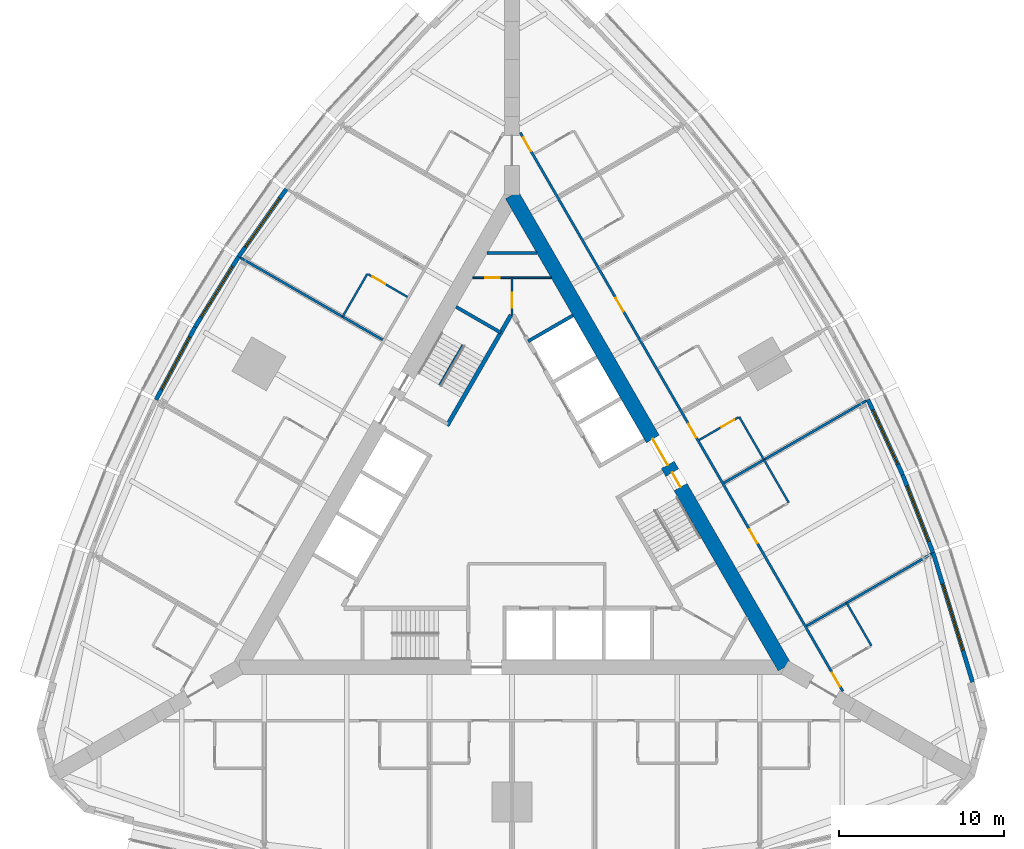
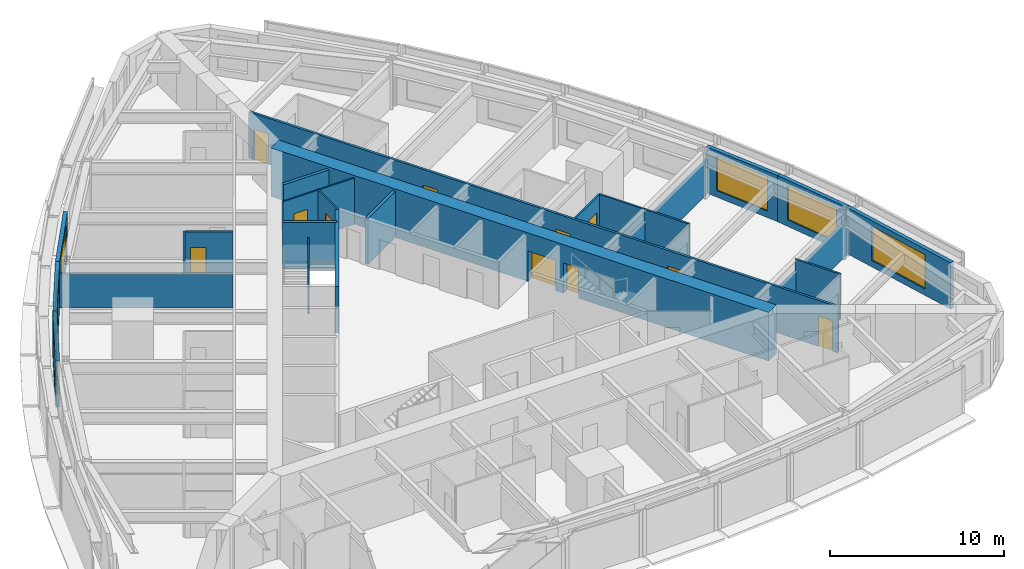
# One storey, part 11 of 14: 24 walls, 11 doors, 6 windows, 17 openings.
"""IFC4 building model written with IfcOpenShell, lengths in metres."""

from ifc_helpers import new_model, si_unit, direction, frame, frame_2d, origin, place, context, subcontext, project, spatial, rectangle, extrude, material, layer, layer_set, type_object, element, fill, save


model = new_model("IFC4")

# Units and contexts
model_context = context("Model", 3, precision=1e-05, world=origin(), true_north=direction((0.0, 1.0)))
body_context = subcontext(model_context, "Body", "Model", "MODEL_VIEW")
ifc_project = project(units=[si_unit("LENGTHUNIT", "METRE"), si_unit("AREAUNIT", "SQUARE_METRE"), si_unit("VOLUMEUNIT", "CUBIC_METRE"), si_unit("PLANEANGLEUNIT", "RADIAN"), si_unit("MASSUNIT", "GRAM", prefix="KILO")], contexts=[model_context])

# Site, building, storey
site_placement = place(None, origin())
site = spatial("IfcSite", under=ifc_project, at=site_placement, CompositionType="ELEMENT")
building_placement = place(site_placement, origin())
building = spatial("IfcBuilding", under=site, at=building_placement, Name="Trikona Tower", CompositionType="ELEMENT")
storey_placement = place(building_placement, frame((0.0, 0.0, 93.10009765625)))
storey = spatial("IfcBuildingStorey", under=building, at=storey_placement, Name="L24", CompositionType="ELEMENT", Elevation=93.10009765625)

# Walls
ifc_material_1 = material(Name="Metal stud and cement board", Category="gypsum")
ifc_layer_1 = layer(ifc_material_1, 0.1201171875)
ifc_layer_set_1 = layer_set([ifc_layer_1], Name="Bathroom wall 120")
wall_type_1 = type_object("IfcWallType", Name="Bathroom wall 120", PredefinedType="PLUMBINGWALL", material=ifc_layer_set_1)
for number, where, z_axis, x_axis, name in (
    (1, (21.75341796875, -8.225341796875, 0.0), (0.0, 0.0, 1.0), (-0.499990139034, 0.866031096941, 0.0), "Bathroom wall 2407"),
    (2, (16.75341796875, 0.434814453125, 0.0), (0.0, 0.0, 1.0), (-0.499990139034, 0.866031096941, 0.0), "Bathroom wall 2408"),
    (3, (15.25341796875, 3.032958984375, 0.0), (0.0, 0.0, 1.0), (-0.499990139034, 0.866031096941, 0.0), "Bathroom wall 2409"),
):
    element("IfcWall", number, at=place(storey_placement, frame(where, z_axis=z_axis, x_axis=x_axis)), inside=storey, type_object=wall_type_1, Name=name, PredefinedType="PLUMBINGWALL", context=body_context, shape_type="SweptSolid", body=[
        extrude(rectangle(XDim=3.0, YDim=0.1201171875, at=frame_2d((1.5, 0.0))), origin(), (0.0, 0.0, 1.0), 3.23486328125),
    ])

# Wall, opening, door
wall_1_placement = place(storey_placement, frame((11.32861328125, 4.231201171875, 0.0), z_axis=(0.0, 0.0, 1.0), x_axis=(0.866035715982, 0.499982138324, 0.0)))
wall_1 = element("IfcWall", 4, at=wall_1_placement, inside=storey, type_object=wall_type_1, Name="Bathroom wall 2409", PredefinedType="PLUMBINGWALL", context=body_context, shape_type="SweptSolid", body=[
    extrude(rectangle(XDim=2.73974609375, YDim=0.1201171875, at=frame_2d((1.369873046875, 0.0))), origin(), (0.0, 0.0, 1.0), 3.23486328125),
])
opening_1_placement = place(wall_1_placement, frame((1.550048828125, 0.0, 0.0)))
opening_1 = element("IfcOpeningElement", 5, at=opening_1_placement, cuts=wall_1, Name="Opening D2", PredefinedType="OPENING", context=body_context, shape_type="SweptSolid", body=[
    extrude(rectangle(XDim=0.89990234375, YDim=2.1298828125, at=frame_2d((0.449951171875, 1.06494140625))), frame((0.0, 0.070068359375, 0.0), z_axis=(0.0, -1.0, 0.0), x_axis=(1.0, 0.0, 0.0)), (0.0, 0.0, 1.0), 0.14013671875),
])
ifc_material_2 = material(Name="Steel door frame with solid-core timber leaf", Category="steel")
door_type_1 = type_object("IfcDoorType", Name="Bathroom door 900x2130", OperationType="SLIDING_TO_LEFT", PredefinedType="DOOR", material=ifc_material_2)
door_1_placement = place(opening_1_placement, origin())
door_1 = element("IfcDoor", 6, at=door_1_placement, inside=storey, type_object=door_type_1, Name="Bathroom door 2409", OperationType="SLIDING_TO_LEFT", OverallHeight=2.1298828125, OverallWidth=0.89990234375, PredefinedType="DOOR", context=body_context, shape_type="SweptSolid", body=[
    extrude(rectangle(XDim=0.89990234375, YDim=2.1298828125, at=frame_2d((0.449951171875, 1.06494140625))), frame((0.0, 0.02490234375, 0.0), z_axis=(0.0, -1.0, 0.0), x_axis=(1.0, 0.0, 0.0)), (0.0, 0.0, 1.0), 0.050048828125),
])
fill(opening_1, door_1)

# Wall
wall_2_placement = place(storey_placement, frame((-8.75341796875, 14.291259765625, 0.0), z_axis=(0.0, 0.0, 1.0), x_axis=(-0.50002537861, -0.866010750942, 0.0)))
element("IfcWall", 7, at=wall_2_placement, inside=storey, type_object=wall_type_1, Name="Bathroom wall 2413.1", PredefinedType="PLUMBINGWALL", context=body_context, shape_type="SweptSolid", body=[
    extrude(rectangle(XDim=2.999755859375, YDim=0.1201171875, at=frame_2d((1.5, 0.0))), origin(), (0.0, 0.0, 1.0), 3.23486328125),
])

# Wall, opening, door
wall_3_placement = place(storey_placement, frame((-6.32861328125, 12.891357421875, 0.0), z_axis=(0.0, 0.0, 1.0), x_axis=(-0.866035715982, 0.499982138324, 0.0)))
wall_3 = element("IfcWall", 8, at=wall_3_placement, inside=storey, type_object=wall_type_1, Name="Bathroom wall 2413.1", PredefinedType="PLUMBINGWALL", context=body_context, shape_type="SweptSolid", body=[
    extrude(rectangle(XDim=2.73974609375, YDim=0.1201171875, at=frame_2d((1.369873046875, 0.0))), origin(), (0.0, 0.0, 1.0), 3.23486328125),
])
opening_2_placement = place(wall_3_placement, frame((1.550048828125, 0.0, 0.0)))
opening_2 = element("IfcOpeningElement", 9, at=opening_2_placement, cuts=wall_3, Name="Opening D2", PredefinedType="OPENING", context=body_context, shape_type="SweptSolid", body=[
    extrude(rectangle(XDim=0.89990234375, YDim=2.1298828125, at=frame_2d((0.449951171875, 1.06494140625))), frame((0.0, 0.070068359375, 0.0), z_axis=(0.0, -1.0, 0.0), x_axis=(1.0, 0.0, 0.0)), (0.0, 0.0, 1.0), 0.14013671875),
])
door_2_placement = place(opening_2_placement, origin())
door_2 = element("IfcDoor", 10, at=door_2_placement, inside=storey, type_object=door_type_1, Name="Bathroom door 2413.1", OperationType="SLIDING_TO_LEFT", OverallHeight=2.1298828125, OverallWidth=0.89990234375, PredefinedType="DOOR", context=body_context, shape_type="SweptSolid", body=[
    extrude(rectangle(XDim=0.89990234375, YDim=2.1298828125, at=frame_2d((0.449951171875, 1.06494140625))), frame((0.0, 0.02490234375, 0.0), z_axis=(0.0, -1.0, 0.0), x_axis=(1.0, 0.0, 0.0)), (0.0, 0.0, 1.0), 0.050048828125),
])
fill(opening_2, door_2)

# Wall, openings, doors
ifc_material_3 = material(Name="Concrete f'c 10000 psi", Category="concrete")
ifc_layer_2 = layer(ifc_material_3, 0.89990234375)
ifc_layer_set_2 = layer_set([ifc_layer_2], Name="Core wall 900")
wall_type_2 = type_object("IfcWallType", Name="Core wall 900", PredefinedType="SHEAR", material=ifc_layer_set_2)
wall_4_placement = place(storey_placement, frame((16.5, -9.5263671875, 0.0), z_axis=(0.0, 0.0, 1.0), x_axis=(-0.499999749417, 0.866025548458, 0.0)))
wall_4 = element("IfcWall", 11, at=wall_4_placement, inside=storey, type_object=wall_type_2, Name="Core wall B", PredefinedType="SHEAR", context=body_context, shape_type="SweptSolid", body=[
    extrude(rectangle(XDim=33.0, YDim=0.89990234375, at=frame_2d((16.5, 0.0))), origin(), (0.0, 0.0, 1.0), 3.39990234375),
])
opening_3_placement = place(wall_4_placement, frame((14.14990234375, 0.0, 0.0)))
opening_3 = element("IfcOpeningElement", 12, at=opening_3_placement, cuts=wall_4, Name="Opening D6", PredefinedType="OPENING", context=body_context, shape_type="SweptSolid", body=[
    extrude(rectangle(XDim=1.800048828125, YDim=2.1298828125, at=frame_2d((0.89990234375, 1.06494140625))), frame((0.0, 0.4599609375, 0.0), z_axis=(0.0, -1.0, 0.0), x_axis=(1.0, 0.0, 0.0)), (0.0, 0.0, 1.0), 0.919921875),
])
opening_4_placement = place(wall_4_placement, frame((12.60009765625, 0.0, 0.0)))
opening_4 = element("IfcOpeningElement", 13, at=opening_4_placement, cuts=wall_4, Name="Opening D5", PredefinedType="OPENING", context=body_context, shape_type="SweptSolid", body=[
    extrude(rectangle(XDim=1.0, YDim=2.1298828125, at=frame_2d((0.5, 1.06494140625))), frame((0.0, 0.4599609375, 0.0), z_axis=(0.0, -1.0, 0.0), x_axis=(1.0, 0.0, 0.0)), (0.0, 0.0, 1.0), 0.919921875),
])
ifc_material_4 = material(Name="Hollow metal door and frame", Category="steel")
door_type_2 = type_object("IfcDoorType", Name="Lobby door pair 1800x2130", OperationType="DOUBLE_DOOR_SINGLE_SWING", PredefinedType="DOOR", material=ifc_material_4)
door_3_placement = place(opening_3_placement, origin())
door_3 = element("IfcDoor", 14, at=door_3_placement, inside=storey, type_object=door_type_2, Name="Lift lobby door B", OperationType="DOUBLE_DOOR_SINGLE_SWING", OverallHeight=2.1298828125, OverallWidth=1.800048828125, PredefinedType="DOOR", context=body_context, shape_type="SweptSolid", body=[
    extrude(rectangle(XDim=1.800048828125, YDim=2.1298828125, at=frame_2d((0.89990234375, 1.06494140625))), frame((0.0, 0.02490234375, 0.0), z_axis=(0.0, -1.0, 0.0), x_axis=(1.0, 0.0, 0.0)), (0.0, 0.0, 1.0), 0.050048828125),
])
fill(opening_3, door_3)
ifc_material_5 = material(Name="Hollow metal door and frame", Category="steel")
door_type_3 = type_object("IfcDoorType", Name="Stair door 1000x2130", OperationType="SINGLE_SWING_LEFT", PredefinedType="DOOR", material=ifc_material_5)
door_4_placement = place(opening_4_placement, origin())
door_4 = element("IfcDoor", 15, at=door_4_placement, inside=storey, type_object=door_type_3, Name="Stair B door", OperationType="SINGLE_SWING_RIGHT", OverallHeight=2.1298828125, OverallWidth=1.0, PredefinedType="DOOR", context=body_context, shape_type="SweptSolid", body=[
    extrude(rectangle(XDim=1.0, YDim=2.1298828125, at=frame_2d((0.5, 1.06494140625))), frame((0.0, 0.02490234375, 0.0), z_axis=(0.0, -1.0, 0.0), x_axis=(1.0, 0.0, 0.0)), (0.0, 0.0, 1.0), 0.050048828125),
])
fill(opening_4, door_4)

ifc_material_6 = material(Name="Metal stud and gypsum board, 1-hour", Category="gypsum")
ifc_layer_3 = layer(ifc_material_6, 0.14990234375)
ifc_layer_set_3 = layer_set([ifc_layer_3], Name="Corridor wall 150")
wall_type_3 = type_object("IfcWallType", Name="Corridor wall 150", PredefinedType="PARTITIONING", material=ifc_layer_set_3)
wall_5_placement = place(storey_placement, frame((20.027099609375, -10.9853515625, 0.0), z_axis=(0.0, 0.0, 1.0), x_axis=(-0.500001677587, 0.866024435227, 0.0)))
wall_5 = element("IfcWall", 16, at=wall_5_placement, inside=storey, type_object=wall_type_3, Name="Corridor wall L24-2", PredefinedType="PARTITIONING", context=body_context, shape_type="SweptSolid", body=[
    extrude(rectangle(XDim=39.053955078125, YDim=0.14990234375, at=frame_2d((19.52685546875, 0.0))), origin(), (0.0, 0.0, 1.0), 3.23486328125),
])
opening_5_placement = place(wall_5_placement, frame((0.35205078125, 0.0, 0.0)))
opening_5 = element("IfcOpeningElement", 17, at=opening_5_placement, cuts=wall_5, Name="Opening D1", PredefinedType="OPENING", context=body_context, shape_type="SweptSolid", body=[
    extrude(rectangle(XDim=0.949951171875, YDim=2.1298828125, at=frame_2d((0.47509765625, 1.06494140625))), frame((0.0, 0.0849609375, 0.0), z_axis=(0.0, -1.0, 0.0), x_axis=(1.0, 0.0, 0.0)), (0.0, 0.0, 1.0), 0.169921875),
])
opening_6_placement = place(wall_5_placement, frame((10.35205078125, 0.0, 0.0)))
opening_6 = element("IfcOpeningElement", 18, at=opening_6_placement, cuts=wall_5, Name="Opening D1", PredefinedType="OPENING", context=body_context, shape_type="SweptSolid", body=[
    extrude(rectangle(XDim=0.949951171875, YDim=2.1298828125, at=frame_2d((0.47509765625, 1.06494140625))), frame((0.0, 0.0849609375, 0.0), z_axis=(0.0, -1.0, 0.0), x_axis=(1.0, 0.0, 0.0)), (0.0, 0.0, 1.0), 0.169921875),
])
opening_7_placement = place(wall_5_placement, frame((17.751953125, 0.0, 0.0)))
opening_7 = element("IfcOpeningElement", 19, at=opening_7_placement, cuts=wall_5, Name="Opening D1", PredefinedType="OPENING", context=body_context, shape_type="SweptSolid", body=[
    extrude(rectangle(XDim=0.949951171875, YDim=2.1298828125, at=frame_2d((0.47509765625, 1.06494140625))), frame((0.0, 0.0849609375, 0.0), z_axis=(0.0, -1.0, 0.0), x_axis=(1.0, 0.0, 0.0)), (0.0, 0.0, 1.0), 0.169921875),
])
opening_8_placement = place(wall_5_placement, frame((26.552001953125, 0.0, 0.0)))
opening_8 = element("IfcOpeningElement", 20, at=opening_8_placement, cuts=wall_5, Name="Opening D1", PredefinedType="OPENING", context=body_context, shape_type="SweptSolid", body=[
    extrude(rectangle(XDim=0.949951171875, YDim=2.1298828125, at=frame_2d((0.47509765625, 1.06494140625))), frame((0.0, 0.0849609375, 0.0), z_axis=(0.0, -1.0, 0.0), x_axis=(1.0, 0.0, 0.0)), (0.0, 0.0, 1.0), 0.169921875),
])
opening_9_placement = place(wall_5_placement, frame((37.751953125, 0.0, 0.0)))
opening_9 = element("IfcOpeningElement", 21, at=opening_9_placement, cuts=wall_5, Name="Opening D1", PredefinedType="OPENING", context=body_context, shape_type="SweptSolid", body=[
    extrude(rectangle(XDim=0.949951171875, YDim=2.1298828125, at=frame_2d((0.47509765625, 1.06494140625))), frame((0.0, 0.0849609375, 0.0), z_axis=(0.0, -1.0, 0.0), x_axis=(1.0, 0.0, 0.0)), (0.0, 0.0, 1.0), 0.169921875),
])
ifc_material_7 = material(Name="Steel door frame with solid-core timber leaf", Category="steel")
door_type_4 = type_object("IfcDoorType", Name="Guest room door 950x2130", OperationType="SINGLE_SWING_LEFT", PredefinedType="DOOR", material=ifc_material_7)
door_5_placement = place(opening_5_placement, origin())
door_5 = element("IfcDoor", 22, at=door_5_placement, inside=storey, type_object=door_type_4, Name="Room door 2407", OperationType="SINGLE_SWING_LEFT", OverallHeight=2.1298828125, OverallWidth=0.949951171875, PredefinedType="DOOR", context=body_context, shape_type="SweptSolid", body=[
    extrude(rectangle(XDim=0.949951171875, YDim=2.1298828125, at=frame_2d((0.47509765625, 1.06494140625))), frame((0.0, 0.02490234375, 0.0), z_axis=(0.0, -1.0, 0.0), x_axis=(1.0, 0.0, 0.0)), (0.0, 0.0, 1.0), 0.050048828125),
])
fill(opening_5, door_5)
door_6_placement = place(opening_6_placement, origin())
door_6 = element("IfcDoor", 23, at=door_6_placement, inside=storey, type_object=door_type_4, Name="Room door 2408", OperationType="SINGLE_SWING_RIGHT", OverallHeight=2.1298828125, OverallWidth=0.949951171875, PredefinedType="DOOR", context=body_context, shape_type="SweptSolid", body=[
    extrude(rectangle(XDim=0.949951171875, YDim=2.1298828125, at=frame_2d((0.47509765625, 1.06494140625))), frame((0.0, 0.02490234375, 0.0), z_axis=(0.0, -1.0, 0.0), x_axis=(1.0, 0.0, 0.0)), (0.0, 0.0, 1.0), 0.050048828125),
])
fill(opening_6, door_6)
door_7_placement = place(opening_7_placement, origin())
door_7 = element("IfcDoor", 24, at=door_7_placement, inside=storey, type_object=door_type_4, Name="Room door 2409", OperationType="SINGLE_SWING_LEFT", OverallHeight=2.1298828125, OverallWidth=0.949951171875, PredefinedType="DOOR", context=body_context, shape_type="SweptSolid", body=[
    extrude(rectangle(XDim=0.949951171875, YDim=2.1298828125, at=frame_2d((0.47509765625, 1.06494140625))), frame((0.0, 0.02490234375, 0.0), z_axis=(0.0, -1.0, 0.0), x_axis=(1.0, 0.0, 0.0)), (0.0, 0.0, 1.0), 0.050048828125),
])
fill(opening_7, door_7)
door_8_placement = place(opening_8_placement, origin())
door_8 = element("IfcDoor", 25, at=door_8_placement, inside=storey, type_object=door_type_4, Name="Room door 2410", OperationType="SINGLE_SWING_RIGHT", OverallHeight=2.1298828125, OverallWidth=0.949951171875, PredefinedType="DOOR", context=body_context, shape_type="SweptSolid", body=[
    extrude(rectangle(XDim=0.949951171875, YDim=2.1298828125, at=frame_2d((0.47509765625, 1.06494140625))), frame((0.0, 0.02490234375, 0.0), z_axis=(0.0, -1.0, 0.0), x_axis=(1.0, 0.0, 0.0)), (0.0, 0.0, 1.0), 0.050048828125),
])
fill(opening_8, door_8)
door_9_placement = place(opening_9_placement, origin())
door_9 = element("IfcDoor", 26, at=door_9_placement, inside=storey, type_object=door_type_4, Name="Room door 2411", OperationType="SINGLE_SWING_RIGHT", OverallHeight=2.1298828125, OverallWidth=0.949951171875, PredefinedType="DOOR", context=body_context, shape_type="SweptSolid", body=[
    extrude(rectangle(XDim=0.949951171875, YDim=2.1298828125, at=frame_2d((0.47509765625, 1.06494140625))), frame((0.0, 0.02490234375, 0.0), z_axis=(0.0, -1.0, 0.0), x_axis=(1.0, 0.0, 0.0)), (0.0, 0.0, 1.0), 0.050048828125),
])
fill(opening_9, door_9)

# Wall
ifc_material_8 = material(Name="Concrete f'c 8000 psi", Category="concrete")
ifc_layer_4 = layer(ifc_material_8, 0.25)
ifc_layer_set_4 = layer_set([ifc_layer_4], Name="Hub wall 250")
wall_type_4 = type_object("IfcWallType", Name="Hub wall 250", PredefinedType="SOLIDWALL", material=ifc_layer_set_4)
wall_6_placement = place(storey_placement, frame((-0.0625, 11.794189453125, 0.0), z_axis=(0.0, 0.0, 1.0), x_axis=(-0.500006680225, -0.86602154692, 0.0)))
element("IfcWall", 27, at=wall_6_placement, inside=storey, type_object=wall_type_4, Name="Lift lobby wall C1", PredefinedType="SOLIDWALL", context=body_context, shape_type="SweptSolid", body=[
    extrude(rectangle(XDim=7.73291015625, YDim=0.25, at=frame_2d((3.866455078125, 0.0))), origin(), (0.0, 0.0, 1.0), 3.23486328125),
])

# Wall, opening, window
ifc_material_9 = material(Name="Insulated precast concrete spandrel panel", Category="concrete")
ifc_layer_5 = layer(ifc_material_9, 0.25)
ifc_layer_set_5 = layer_set([ifc_layer_5], Name="Inner skin wall 250")
wall_type_5 = type_object("IfcWallType", Name="Inner skin wall 250", PredefinedType="STANDARD", material=ifc_layer_set_5)
wall_7_placement = place(storey_placement, frame((27.88037109375, -10.4287109375, 0.0), z_axis=(0.0, 0.0, 1.0), x_axis=(-0.2919790669, 0.956424709265, 0.0)))
wall_7 = element("IfcWall", 28, at=wall_7_placement, inside=storey, type_object=wall_type_5, Name="External wall L24-12", PredefinedType="STANDARD", context=body_context, shape_type="SweptSolid", body=[
    extrude(rectangle(XDim=8.211181640625, YDim=0.25, at=frame_2d((4.10546875, 0.0))), origin(), (0.0, 0.0, 1.0), 3.23486328125),
])
opening_10_placement = place(wall_7_placement, frame((2.005615234375, 0.0, 0.449951171875)))
opening_10 = element("IfcOpeningElement", 29, at=opening_10_placement, cuts=wall_7, Name="Opening W4224", PredefinedType="OPENING", context=body_context, shape_type="SweptSolid", body=[
    extrude(rectangle(XDim=4.199951171875, YDim=2.39990234375, at=frame_2d((2.10009765625, 1.199951171875))), frame((0.0, 0.135009765625, 0.0), z_axis=(0.0, -1.0, 0.0), x_axis=(1.0, 0.0, 0.0)), (0.0, 0.0, 1.0), 0.27001953125),
])
ifc_material_10 = material(Name="Aluminium-framed double glazing", Category="aluminium")
window_type_1 = type_object("IfcWindowType", Name="Window 4200x2400", PartitioningType="SINGLE_PANEL", PredefinedType="WINDOW", material=ifc_material_10)
window_1_placement = place(opening_10_placement, origin())
window_1 = element("IfcWindow", 30, at=window_1_placement, inside=storey, type_object=window_type_1, Name="Window 2407", OverallHeight=2.39990234375, OverallWidth=4.199951171875, PartitioningType="SINGLE_PANEL", PredefinedType="WINDOW", context=body_context, shape_type="SweptSolid", body=[
    extrude(rectangle(XDim=4.199951171875, YDim=2.39990234375, at=frame_2d((2.10009765625, 1.199951171875))), frame((0.0, 0.030029296875, 0.0), z_axis=(0.0, -1.0, 0.0), x_axis=(1.0, 0.0, 0.0)), (0.0, 0.0, 1.0), 0.06005859375),
])
fill(opening_10, window_1)

wall_8_placement = place(storey_placement, frame((25.486083984375, -2.58447265625, 0.0), z_axis=(0.0, 0.0, 1.0), x_axis=(-0.364013463868, 0.931393685894, 0.0)))
wall_8 = element("IfcWall", 31, at=wall_8_placement, inside=storey, type_object=wall_type_5, Name="External wall L24-13", PredefinedType="STANDARD", context=body_context, shape_type="SweptSolid", body=[
    extrude(rectangle(XDim=5.0576171875, YDim=0.25, at=frame_2d((2.52880859375, 0.0))), origin(), (0.0, 0.0, 1.0), 3.23486328125),
])
opening_11_placement = place(wall_8_placement, frame((0.728759765625, 0.0, 0.449951171875)))
opening_11 = element("IfcOpeningElement", 32, at=opening_11_placement, cuts=wall_8, Name="Opening W3624", PredefinedType="OPENING", context=body_context, shape_type="SweptSolid", body=[
    extrude(rectangle(XDim=3.60009765625, YDim=2.39990234375, at=frame_2d((1.800048828125, 1.199951171875))), frame((0.0, 0.135009765625, 0.0), z_axis=(0.0, -1.0, 0.0), x_axis=(1.0, 0.0, 0.0)), (0.0, 0.0, 1.0), 0.27001953125),
])
ifc_material_11 = material(Name="Aluminium-framed double glazing", Category="aluminium")
window_type_2 = type_object("IfcWindowType", Name="Window 3600x2400", PartitioningType="SINGLE_PANEL", PredefinedType="WINDOW", material=ifc_material_11)
window_2_placement = place(opening_11_placement, origin())
window_2 = element("IfcWindow", 33, at=window_2_placement, inside=storey, type_object=window_type_2, Name="Window 2408", OverallHeight=2.39990234375, OverallWidth=3.60009765625, PartitioningType="SINGLE_PANEL", PredefinedType="WINDOW", context=body_context, shape_type="SweptSolid", body=[
    extrude(rectangle(XDim=3.60009765625, YDim=2.39990234375, at=frame_2d((1.800048828125, 1.199951171875))), frame((0.0, 0.030029296875, 0.0), z_axis=(0.0, -1.0, 0.0), x_axis=(1.0, 0.0, 0.0)), (0.0, 0.0, 1.0), 0.06005859375),
])
fill(opening_11, window_2)

wall_9_placement = place(storey_placement, frame((23.64794921875, 2.119384765625, 0.0), z_axis=(0.0, 0.0, 1.0), x_axis=(-0.419203100754, 0.907892482796, 0.0)))
wall_9 = element("IfcWall", 34, at=wall_9_placement, inside=storey, type_object=wall_type_5, Name="External wall L24-14", PredefinedType="STANDARD", context=body_context, shape_type="SweptSolid", body=[
    extrude(rectangle(XDim=5.020751953125, YDim=0.25, at=frame_2d((2.51025390625, 0.0))), origin(), (0.0, 0.0, 1.0), 3.23486328125),
])
opening_12_placement = place(wall_9_placement, frame((0.71044921875, 0.0, 0.449951171875)))
opening_12 = element("IfcOpeningElement", 35, at=opening_12_placement, cuts=wall_9, Name="Opening W3624", PredefinedType="OPENING", context=body_context, shape_type="SweptSolid", body=[
    extrude(rectangle(XDim=3.60009765625, YDim=2.39990234375, at=frame_2d((1.800048828125, 1.199951171875))), frame((0.0, 0.135009765625, 0.0), z_axis=(0.0, -1.0, 0.0), x_axis=(1.0, 0.0, 0.0)), (0.0, 0.0, 1.0), 0.27001953125),
])
window_3_placement = place(opening_12_placement, origin())
window_3 = element("IfcWindow", 36, at=window_3_placement, inside=storey, type_object=window_type_2, Name="Window 2408", OverallHeight=2.39990234375, OverallWidth=3.60009765625, PartitioningType="SINGLE_PANEL", PredefinedType="WINDOW", context=body_context, shape_type="SweptSolid", body=[
    extrude(rectangle(XDim=3.60009765625, YDim=2.39990234375, at=frame_2d((1.800048828125, 1.199951171875))), frame((0.0, 0.030029296875, 0.0), z_axis=(0.0, -1.0, 0.0), x_axis=(1.0, 0.0, 0.0)), (0.0, 0.0, 1.0), 0.06005859375),
])
fill(opening_12, window_3)

wall_10_placement = place(storey_placement, frame((-13.659423828125, 19.420166015625, 0.0), z_axis=(0.0, 0.0, 1.0), x_axis=(-0.5766431066, -0.81699616132, 0.0)))
wall_10 = element("IfcWall", 37, at=wall_10_placement, inside=storey, type_object=wall_type_5, Name="External wall L24-26", PredefinedType="STANDARD", context=body_context, shape_type="SweptSolid", body=[
    extrude(rectangle(XDim=5.02099609375, YDim=0.25, at=frame_2d((2.510498046875, 0.0))), origin(), (0.0, 0.0, 1.0), 3.23486328125),
])
opening_13_placement = place(wall_10_placement, frame((0.71044921875, 0.0, 0.449951171875)))
opening_13 = element("IfcOpeningElement", 38, at=opening_13_placement, cuts=wall_10, Name="Opening W3624", PredefinedType="OPENING", context=body_context, shape_type="SweptSolid", body=[
    extrude(rectangle(XDim=3.60009765625, YDim=2.39990234375, at=frame_2d((1.800048828125, 1.199951171875))), frame((0.0, 0.135009765625, 0.0), z_axis=(0.0, -1.0, 0.0), x_axis=(1.0, 0.0, 0.0)), (0.0, 0.0, 1.0), 0.27001953125),
])
window_4_placement = place(opening_13_placement, origin())
window_4 = element("IfcWindow", 39, at=window_4_placement, inside=storey, type_object=window_type_2, Name="Window 2413.1", OverallHeight=2.39990234375, OverallWidth=3.60009765625, PartitioningType="SINGLE_PANEL", PredefinedType="WINDOW", context=body_context, shape_type="SweptSolid", body=[
    extrude(rectangle(XDim=3.60009765625, YDim=2.39990234375, at=frame_2d((1.800048828125, 1.199951171875))), frame((0.0, 0.030029296875, 0.0), z_axis=(0.0, -1.0, 0.0), x_axis=(1.0, 0.0, 0.0)), (0.0, 0.0, 1.0), 0.06005859375),
])
fill(opening_13, window_4)

wall_11_placement = place(storey_placement, frame((-16.550537109375, 15.324462890625, 0.0), z_axis=(0.0, 0.0, 1.0), x_axis=(-0.526132807704, -0.850402415717, 0.0)))
wall_11 = element("IfcWall", 40, at=wall_11_placement, inside=storey, type_object=wall_type_5, Name="External wall L24-27", PredefinedType="STANDARD", context=body_context, shape_type="SweptSolid", body=[
    extrude(rectangle(XDim=5.002197265625, YDim=0.25, at=frame_2d((2.5009765625, 0.0))), origin(), (0.0, 0.0, 1.0), 3.23486328125),
])
opening_14_placement = place(wall_11_placement, frame((0.701171875, 0.0, 0.449951171875)))
opening_14 = element("IfcOpeningElement", 41, at=opening_14_placement, cuts=wall_11, Name="Opening W3624", PredefinedType="OPENING", context=body_context, shape_type="SweptSolid", body=[
    extrude(rectangle(XDim=3.60009765625, YDim=2.39990234375, at=frame_2d((1.800048828125, 1.199951171875))), frame((0.0, 0.135009765625, 0.0), z_axis=(0.0, -1.0, 0.0), x_axis=(1.0, 0.0, 0.0)), (0.0, 0.0, 1.0), 0.27001953125),
])
window_5_placement = place(opening_14_placement, origin())
window_5 = element("IfcWindow", 42, at=window_5_placement, inside=storey, type_object=window_type_2, Name="Window 2414", OverallHeight=2.39990234375, OverallWidth=3.60009765625, PartitioningType="SINGLE_PANEL", PredefinedType="WINDOW", context=body_context, shape_type="SweptSolid", body=[
    extrude(rectangle(XDim=3.60009765625, YDim=2.39990234375, at=frame_2d((1.800048828125, 1.199951171875))), frame((0.0, 0.030029296875, 0.0), z_axis=(0.0, -1.0, 0.0), x_axis=(1.0, 0.0, 0.0)), (0.0, 0.0, 1.0), 0.06005859375),
])
fill(opening_14, window_5)

wall_12_placement = place(storey_placement, frame((-19.178466796875, 11.0771484375, 0.0), z_axis=(0.0, 0.0, 1.0), x_axis=(-0.473412820489, -0.880840678782, 0.0)))
wall_12 = element("IfcWall", 43, at=wall_12_placement, inside=storey, type_object=wall_type_5, Name="External wall L24-28", PredefinedType="STANDARD", context=body_context, shape_type="SweptSolid", body=[
    extrude(rectangle(XDim=5.00244140625, YDim=0.25, at=frame_2d((2.501220703125, 0.0))), origin(), (0.0, 0.0, 1.0), 3.23486328125),
])
opening_15_placement = place(wall_12_placement, frame((0.701171875, 0.0, 0.449951171875)))
opening_15 = element("IfcOpeningElement", 44, at=opening_15_placement, cuts=wall_12, Name="Opening W3624", PredefinedType="OPENING", context=body_context, shape_type="SweptSolid", body=[
    extrude(rectangle(XDim=3.60009765625, YDim=2.39990234375, at=frame_2d((1.800048828125, 1.199951171875))), frame((0.0, 0.135009765625, 0.0), z_axis=(0.0, -1.0, 0.0), x_axis=(1.0, 0.0, 0.0)), (0.0, 0.0, 1.0), 0.27001953125),
])
window_6_placement = place(opening_15_placement, origin())
window_6 = element("IfcWindow", 45, at=window_6_placement, inside=storey, type_object=window_type_2, Name="Window 2414", OverallHeight=2.39990234375, OverallWidth=3.60009765625, PartitioningType="SINGLE_PANEL", PredefinedType="WINDOW", context=body_context, shape_type="SweptSolid", body=[
    extrude(rectangle(XDim=3.60009765625, YDim=2.39990234375, at=frame_2d((1.800048828125, 1.199951171875))), frame((0.0, 0.030029296875, 0.0), z_axis=(0.0, -1.0, 0.0), x_axis=(1.0, 0.0, 0.0)), (0.0, 0.0, 1.0), 0.06005859375),
])
fill(opening_15, window_6)

# Walls
ifc_material_12 = material(Name="Metal stud and gypsum board, 1-hour acoustic", Category="gypsum")
ifc_layer_6 = layer(ifc_material_12, 0.14990234375)
ifc_layer_set_6 = layer_set([ifc_layer_6], Name="Party wall 150")
wall_type_6 = type_object("IfcWallType", Name="Party wall 150", PredefinedType="PARTITIONING", material=ifc_layer_set_6)
wall_13_placement = place(storey_placement, frame((17.82861328125, -7.027099609375, 0.0), z_axis=(0.0, 0.0, 1.0), x_axis=(0.866032659912, 0.499987431809, 0.0)))
element("IfcWall", 46, at=wall_13_placement, inside=storey, type_object=wall_type_6, Name="Partition L24 F2 u-15", PredefinedType="PARTITIONING", context=body_context, shape_type="SweptSolid", body=[
    extrude(rectangle(XDim=8.719970703125, YDim=0.14990234375, at=frame_2d((4.35986328125, 0.0))), origin(), (0.0, 0.0, 1.0), 2.38916015625),
])
wall_14_placement = place(storey_placement, frame((12.82861328125, 1.633056640625, 0.0), z_axis=(0.0, 0.0, 1.0), x_axis=(0.866026934769, 0.499997348248, 0.0)))
element("IfcWall", 47, at=wall_14_placement, inside=storey, type_object=wall_type_6, Name="Partition L24 F2 u-5", PredefinedType="PARTITIONING", context=body_context, shape_type="SweptSolid", body=[
    extrude(rectangle(XDim=9.94287109375, YDim=0.14990234375, at=frame_2d((4.971435546875, 0.0))), origin(), (0.0, 0.0, 1.0), 2.38916015625),
])
wall_15_placement = place(storey_placement, frame((-7.82861328125, 10.293212890625, 0.0), z_axis=(0.0, 0.0, 1.0), x_axis=(-0.866016302457, 0.50001576363, 0.0)))
element("IfcWall", 48, at=wall_15_placement, inside=storey, type_object=wall_type_6, Name="Partition L24 F3 u-5", PredefinedType="PARTITIONING", context=body_context, shape_type="SweptSolid", body=[
    extrude(rectangle(XDim=9.943115234375, YDim=0.14990234375, at=frame_2d((4.9716796875, 0.0))), origin(), (0.0, 0.0, 1.0), 2.38916015625),
])
ifc_material_13 = material(Name="Concrete f'c 8000 psi", Category="concrete")
ifc_layer_7 = layer(ifc_material_13, 0.199951171875)
ifc_layer_set_7 = layer_set([ifc_layer_7], Name="Shaft wall 200")
wall_type_7 = type_object("IfcWallType", Name="Shaft wall 200", PredefinedType="SOLIDWALL", material=ifc_layer_set_7)
wall_16_placement = place(storey_placement, frame((0.97900390625, 10.20703125, 0.0), z_axis=(0.0, 0.0, 1.0), x_axis=(0.866022959057, 0.500004234368, 0.0)))
element("IfcWall", 49, at=wall_16_placement, inside=storey, type_object=wall_type_7, Name="Shaft wall B6", PredefinedType="SOLIDWALL", context=body_context, shape_type="SweptSolid", body=[
    extrude(rectangle(XDim=3.125, YDim=0.199951171875, at=frame_2d((1.5625, 0.0))), origin(), (0.0, 0.0, 1.0), 3.23486328125),
])
wall_17_placement = place(storey_placement, frame((-1.501220703125, 15.552490234375, 0.0), z_axis=(0.0, 0.0, 1.0), x_axis=(1.0, 0.0, 0.0)))
element("IfcWall", 50, at=wall_17_placement, inside=storey, type_object=wall_type_7, Name="Riser wall L24-RS2", PredefinedType="SOLIDWALL", context=body_context, shape_type="SweptSolid", body=[
    extrude(rectangle(XDim=3.00244140625, YDim=0.199951171875, at=frame_2d((1.501220703125, 0.0))), origin(), (0.0, 0.0, 1.0), 3.23486328125),
])
ifc_material_14 = material(Name="Concrete f'c 8000 psi", Category="concrete")
ifc_layer_8 = layer(ifc_material_14, 0.199951171875)
ifc_layer_set_8 = layer_set([ifc_layer_8], Name="Shaft wall 200 load-bearing")
wall_type_8 = type_object("IfcWallType", Name="Shaft wall 200 load-bearing", PredefinedType="SOLIDWALL", material=ifc_layer_set_8)
wall_18_placement = place(storey_placement, frame((-0.678955078125, 10.7265625, 0.0), z_axis=(0.0, 0.0, 1.0), x_axis=(-0.866022959057, 0.500004234368, 0.0)))
element("IfcWall", 51, at=wall_18_placement, inside=storey, type_object=wall_type_8, Name="Shaft wall C1", PredefinedType="SOLIDWALL", context=body_context, shape_type="SweptSolid", body=[
    extrude(rectangle(XDim=3.125, YDim=0.199951171875, at=frame_2d((1.5625, 0.0))), origin(), (0.0, 0.0, 1.0), 3.23486328125),
])
ifc_material_15 = material(Name="Concrete f'c 5000 psi", Category="concrete")
ifc_layer_9 = layer(ifc_material_15, 0.10009765625)
ifc_layer_set_9 = layer_set([ifc_layer_9], Name="Stair spine wall 100")
wall_type_9 = type_object("IfcWallType", Name="Stair spine wall 100", PredefinedType="SOLIDWALL", material=ifc_layer_set_9)
wall_19_placement = place(storey_placement, frame((-2.98779296875, 9.9775390625, 0.0), z_axis=(0.0, 0.0, 1.0), x_axis=(-0.499992232847, -0.866029888106, 0.0)))
element("IfcWall", 52, at=wall_19_placement, inside=storey, type_object=wall_type_9, Name="Stair C spine wall L24", PredefinedType="SOLIDWALL", context=body_context, shape_type="SweptSolid", body=[
    extrude(rectangle(XDim=2.7939453125, YDim=0.10009765625, at=frame_2d((1.39697265625, 0.0))), origin(), (0.0, 0.0, 1.0), 3.39990234375),
])

# Wall, opening, door
ifc_material_16 = material(Name="Metal stud and gypsum board, acoustic", Category="gypsum")
ifc_layer_10 = layer(ifc_material_16, 0.10009765625)
ifc_layer_set_10 = layer_set([ifc_layer_10], Name="Suite partition 100")
wall_type_10 = type_object("IfcWallType", Name="Suite partition 100", PredefinedType="PARTITIONING", material=ifc_layer_set_10)
wall_20_placement = place(storey_placement, frame((-2.3671875, 14.052490234375, 0.0), z_axis=(0.0, 0.0, 1.0), x_axis=(1.0, 0.0, 0.0)))
wall_20 = element("IfcWall", 53, at=wall_20_placement, inside=storey, type_object=wall_type_10, Name="Store partition L24-RS2", PredefinedType="PARTITIONING", context=body_context, shape_type="SweptSolid", body=[
    extrude(rectangle(XDim=4.734375, YDim=0.10009765625, at=frame_2d((2.3671875, 0.0))), origin(), (0.0, 0.0, 1.0), 3.23486328125),
])
opening_16_placement = place(wall_20_placement, frame((0.733642578125, 0.0, 0.0)))
opening_16 = element("IfcOpeningElement", 54, at=opening_16_placement, cuts=wall_20, Name="Opening D15", PredefinedType="OPENING", context=body_context, shape_type="SweptSolid", body=[
    extrude(rectangle(XDim=0.89990234375, YDim=2.1298828125, at=frame_2d((0.449951171875, 1.06494140625))), frame((0.0, 0.06005859375, 0.0), z_axis=(0.0, -1.0, 0.0), x_axis=(1.0, 0.0, 0.0)), (0.0, 0.0, 1.0), 0.1201171875),
])
ifc_material_17 = material(Name="Steel door frame with solid-core timber leaf", Category="steel")
door_type_5 = type_object("IfcDoorType", Name="Store door 900x2130", OperationType="SINGLE_SWING_LEFT", PredefinedType="DOOR", material=ifc_material_17)
door_10_placement = place(opening_16_placement, origin())
door_10 = element("IfcDoor", 55, at=door_10_placement, inside=storey, type_object=door_type_5, Name="Door Storage STO", OperationType="SINGLE_SWING_LEFT", OverallHeight=2.1298828125, OverallWidth=0.89990234375, PredefinedType="DOOR", context=body_context, shape_type="SweptSolid", body=[
    extrude(rectangle(XDim=0.89990234375, YDim=2.1298828125, at=frame_2d((0.449951171875, 1.06494140625))), frame((0.0, 0.02490234375, 0.0), z_axis=(0.0, -1.0, 0.0), x_axis=(1.0, 0.0, 0.0)), (0.0, 0.0, 1.0), 0.050048828125),
])
fill(opening_16, door_10)

wall_21_placement = place(storey_placement, frame((0.0, 14.052490234375, 0.0), z_axis=(0.0, 0.0, 1.0), x_axis=(0.0, -1.0, 0.0)))
wall_21 = element("IfcWall", 56, at=wall_21_placement, inside=storey, type_object=wall_type_10, Name="Store partition L24-RS2", PredefinedType="PARTITIONING", context=body_context, shape_type="SweptSolid", body=[
    extrude(rectangle(XDim=2.275146484375, YDim=0.10009765625, at=frame_2d((1.1376953125, 0.0))), origin(), (0.0, 0.0, 1.0), 3.23486328125),
])
opening_17_placement = place(wall_21_placement, frame((0.9150390625, 0.0, 0.0)))
opening_17 = element("IfcOpeningElement", 57, at=opening_17_placement, cuts=wall_21, Name="Opening D15", PredefinedType="OPENING", context=body_context, shape_type="SweptSolid", body=[
    extrude(rectangle(XDim=0.89990234375, YDim=2.1298828125, at=frame_2d((0.449951171875, 1.06494140625))), frame((0.0, 0.06005859375, 0.0), z_axis=(0.0, -1.0, 0.0), x_axis=(1.0, 0.0, 0.0)), (0.0, 0.0, 1.0), 0.1201171875),
])
door_11_placement = place(opening_17_placement, origin())
door_11 = element("IfcDoor", 58, at=door_11_placement, inside=storey, type_object=door_type_5, Name="Door Minibar store MBS", OperationType="SINGLE_SWING_RIGHT", OverallHeight=2.1298828125, OverallWidth=0.89990234375, PredefinedType="DOOR", context=body_context, shape_type="SweptSolid", body=[
    extrude(rectangle(XDim=0.89990234375, YDim=2.1298828125, at=frame_2d((0.449951171875, 1.06494140625))), frame((0.0, 0.02490234375, 0.0), z_axis=(0.0, -1.0, 0.0), x_axis=(1.0, 0.0, 0.0)), (0.0, 0.0, 1.0), 0.050048828125),
])
fill(opening_17, door_11)

save(model, "model.ifc")
